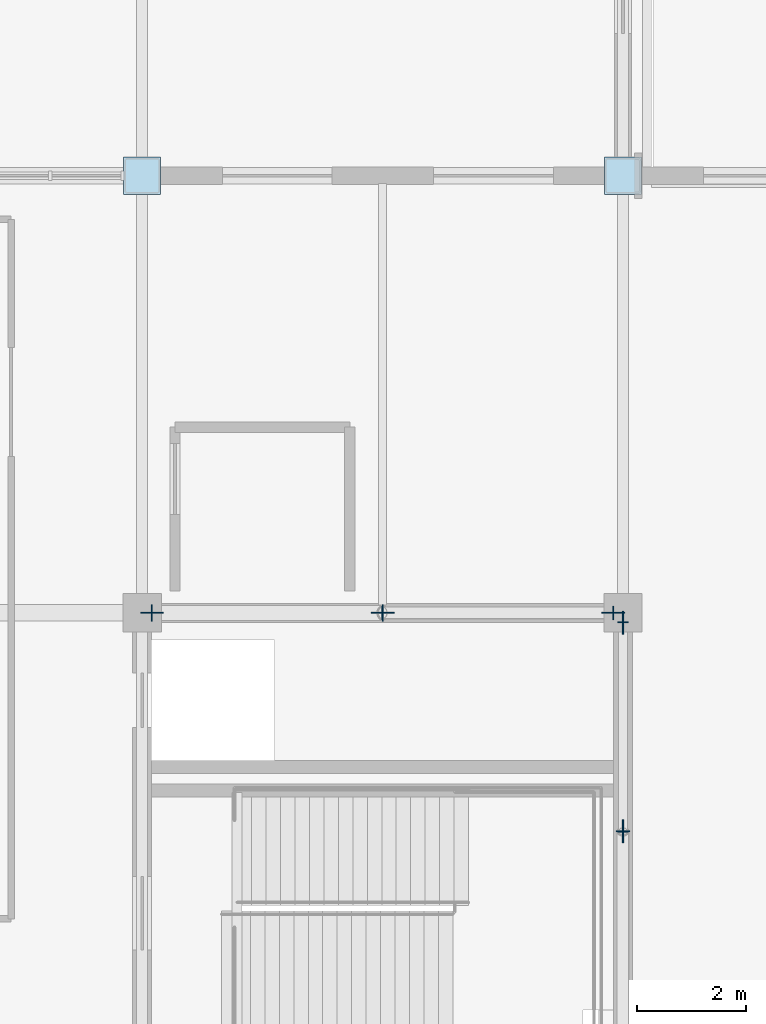
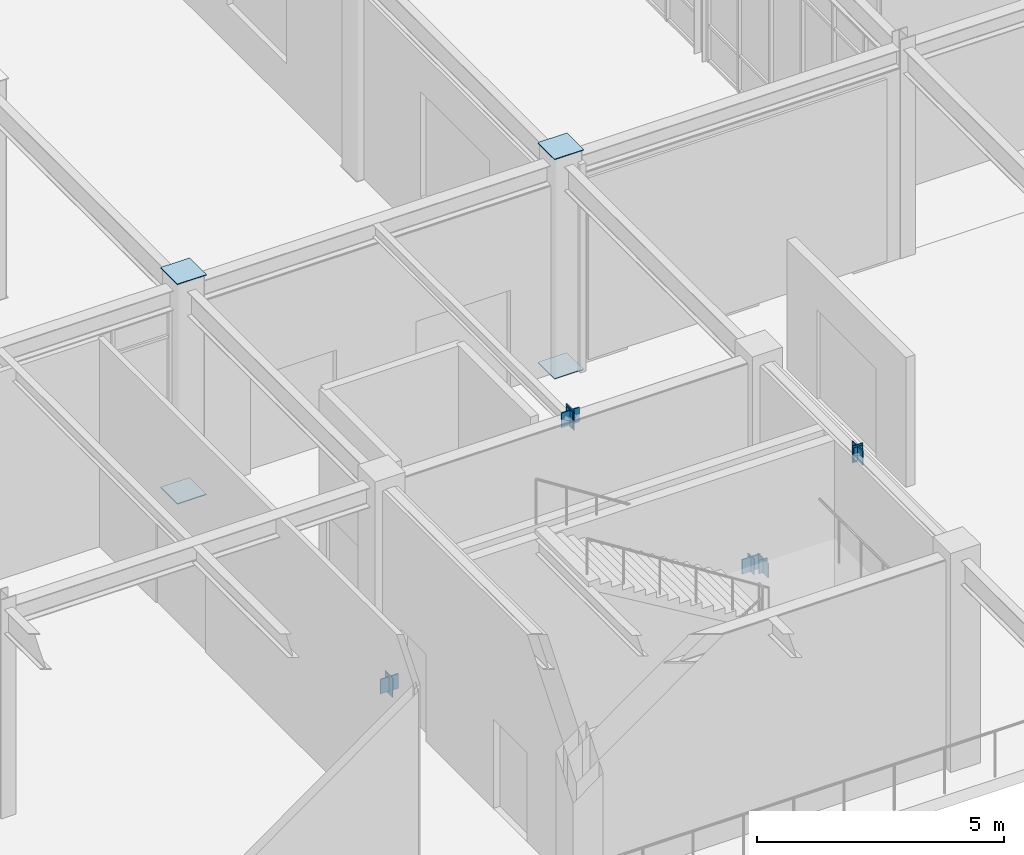
# One storey, part 69 of 119: 16 plates.
"""IFC4 building model written with IfcOpenShell, lengths in metres."""

from ifc_helpers import new_model, si_unit, direction, frame, origin, origin_2d, place, context, subcontext, project, spatial, rectangle, extrude, material, layer, layer_set, type_object, element, save


model = new_model("IFC4")

# Units and contexts
model_context = context("Model", 3, precision=1e-05, world=origin(), true_north=direction((0.0, 1.0)))
body_context = subcontext(model_context, "Body", "Model", "MODEL_VIEW")
ifc_project = project(units=[si_unit("LENGTHUNIT", "METRE"), si_unit("AREAUNIT", "SQUARE_METRE"), si_unit("VOLUMEUNIT", "CUBIC_METRE"), si_unit("PLANEANGLEUNIT", "RADIAN"), si_unit("MASSUNIT", "GRAM", prefix="KILO")], contexts=[model_context])

# Site, building, storey
site_placement = place(None, origin())
site = spatial("IfcSite", under=ifc_project, at=site_placement, CompositionType="ELEMENT")
building_placement = place(site_placement, origin())
building = spatial("IfcBuilding", under=site, at=building_placement, Name="Zhaolan Boulevard Law Courts", CompositionType="ELEMENT")
storey_placement = place(building_placement, origin())
storey = spatial("IfcBuildingStorey", under=building, at=storey_placement, Name="L00", CompositionType="ELEMENT", Elevation=0.0)

# Plates
ifc_material_1 = material(Name="Structural steel Q355B", Category="steel")
ifc_layer_1 = layer(ifc_material_1, 0.02392578125)
ifc_layer_set_1 = layer_set([ifc_layer_1])
plate_type_1 = type_object("IfcPlateType", Name="BRACE GUSSET PLATE 24", PredefinedType="SHEET", material=ifc_layer_set_1)
for number, where, z_axis, x_axis, name in (
    (1, (35.3798828125, 22.0, -0.14990234375), (0.0, 0.0, 1.0), (1.0, 0.0, 0.0), "Brace Gusset Connection Plate GP-P1-L00-NA1"),
    (2, (43.820068359375, 22.0, -0.14990234375), (0.0, 0.0, 1.0), (1.0, 0.0, 0.0), "Brace Gusset Connection Plate GP-P1-L00-NA2"),
    (3, (39.60009765625, 22.0, 4.93994140625), (0.0, 0.0, 1.0), (1.0, 0.0, 0.0), "Brace Gusset Connection Plate GP-P1-L00-NAPX"),
    (4, (44.0, 21.820068359375, -0.14990234375), (0.0, 0.0, 1.0), (0.0, 1.0, 0.0), "Brace Gusset Connection Plate GP-P1-L00-EA2"),
    (5, (44.0, 18.0, 4.93994140625), (0.0, 0.0, 1.0), (0.0, 1.0, 0.0), "Brace Gusset Connection Plate GP-P1-L00-EAPX"),
):
    element("IfcPlate", number, at=place(storey_placement, frame(where, z_axis=z_axis, x_axis=x_axis)), inside=storey, type_object=plate_type_1, Name=name, PredefinedType="SHEET", context=body_context, shape_type="SweptSolid", body=[
        extrude(rectangle(XDim=0.419921875, YDim=0.02392578125, at=origin_2d()), origin(), (0.0, 0.0, 1.0), 0.360107421875),
    ])
ifc_material_2 = material(Name="Structural steel Q355B", Category="steel")
ifc_layer_2 = layer(ifc_material_2, 0.02001953125)
ifc_layer_set_2 = layer_set([ifc_layer_2])
plate_type_2 = type_object("IfcPlateType", Name="END CAP PLATE 20", PredefinedType="SHEET", material=ifc_layer_set_2)
for number, where, z_axis, x_axis, name in (
    (6, (35.199951171875, 30.0, -0.01806640625), (0.0, 0.0, 1.0), (1.0, 0.0, 0.0), "Hollow Section End-Cap Plate ECP-0359"),
    (7, (35.199951171875, 30.0, 5.39794921875), (0.0, 0.0, 1.0), (1.0, 0.0, 0.0), "Hollow Section End-Cap Plate ECP-0360"),
    (8, (44.0, 30.0, -0.01806640625), (0.0, 0.0, 1.0), (1.0, 0.0, 0.0), "Hollow Section End-Cap Plate ECP-0489"),
    (9, (44.0, 30.0, 5.39794921875), (0.0, 0.0, 1.0), (1.0, 0.0, 0.0), "Hollow Section End-Cap Plate ECP-0490"),
):
    element("IfcPlate", number, at=place(storey_placement, frame(where, z_axis=z_axis, x_axis=x_axis)), inside=storey, type_object=plate_type_2, Name=name, PredefinedType="SHEET", context=body_context, shape_type="SweptSolid", body=[
        extrude(rectangle(XDim=0.679931640625, YDim=0.679931640625, at=origin_2d()), origin(), (0.0, 0.0, 1.0), 0.02001953125),
    ])
for number, where, z_axis, x_axis, name in (
    (10, (35.375, 22.0, -0.2138671875), (0.0, 0.0, 1.0), (1.0, 0.0, 0.0), "Hollow Section End-Cap Plate ECP-1231"),
    (11, (39.60498046875, 22.0, 4.888671875), (0.0, 0.0, 1.0), (1.0, 0.0, 0.0), "Hollow Section End-Cap Plate ECP-1232"),
):
    element("IfcPlate", number, at=place(storey_placement, frame(where, z_axis=z_axis, x_axis=x_axis)), inside=storey, type_object=plate_type_2, Name=name, PredefinedType="SHEET", context=body_context, shape_type="SweptSolid", body=[
        extrude(rectangle(XDim=0.02001953125, YDim=0.302978515625, at=origin_2d()), origin(), (0.0, 0.0, 1.0), 0.47509765625),
    ])
for number, where, z_axis, x_axis, name in (
    (12, (43.8251953125, 22.0, -0.17138671875), (0.0, 0.0, 1.0), (-1.0, 0.0, 0.0), "Hollow Section End-Cap Plate ECP-1233"),
    (13, (39.594970703125, 22.0, 4.93115234375), (0.0, 0.0, 1.0), (-1.0, 0.0, 0.0), "Hollow Section End-Cap Plate ECP-1234"),
):
    element("IfcPlate", number, at=place(storey_placement, frame(where, z_axis=z_axis, x_axis=x_axis)), inside=storey, type_object=plate_type_2, Name=name, PredefinedType="SHEET", context=body_context, shape_type="SweptSolid", body=[
        extrude(rectangle(XDim=0.02001953125, YDim=0.2490234375, at=origin_2d()), origin(), (0.0, 0.0, 1.0), 0.389892578125),
    ])
plate_placement = place(storey_placement, frame((44.0, 18.0048828125, 4.9189453125), z_axis=(0.0, 0.0, 1.0), x_axis=(0.0, 1.0, 0.0)))
element("IfcPlate", 14, at=plate_placement, inside=storey, type_object=plate_type_2, Name="Hollow Section End-Cap Plate ECP-1236", PredefinedType="SHEET", context=body_context, shape_type="SweptSolid", body=[
    extrude(rectangle(XDim=0.02001953125, YDim=0.2490234375, at=origin_2d()), origin(), (0.0, 0.0, 1.0), 0.4150390625),
])
for number, where, z_axis, x_axis, name in (
    (15, (44.0, 21.82470703125, -0.141357421875), (0.0, 0.0, 1.0), (0.0, -1.0, 0.0), "Hollow Section End-Cap Plate ECP-1237"),
    (16, (44.0, 17.9951171875, 4.96142578125), (0.0, 0.0, 1.0), (0.0, -1.0, 0.0), "Hollow Section End-Cap Plate ECP-1238"),
):
    element("IfcPlate", number, at=place(storey_placement, frame(where, z_axis=z_axis, x_axis=x_axis)), inside=storey, type_object=plate_type_2, Name=name, PredefinedType="SHEET", context=body_context, shape_type="SweptSolid", body=[
        extrude(rectangle(XDim=0.02001953125, YDim=0.197998046875, at=origin_2d()), origin(), (0.0, 0.0, 1.0), 0.330078125),
    ])

save(model, "model.ifc")
